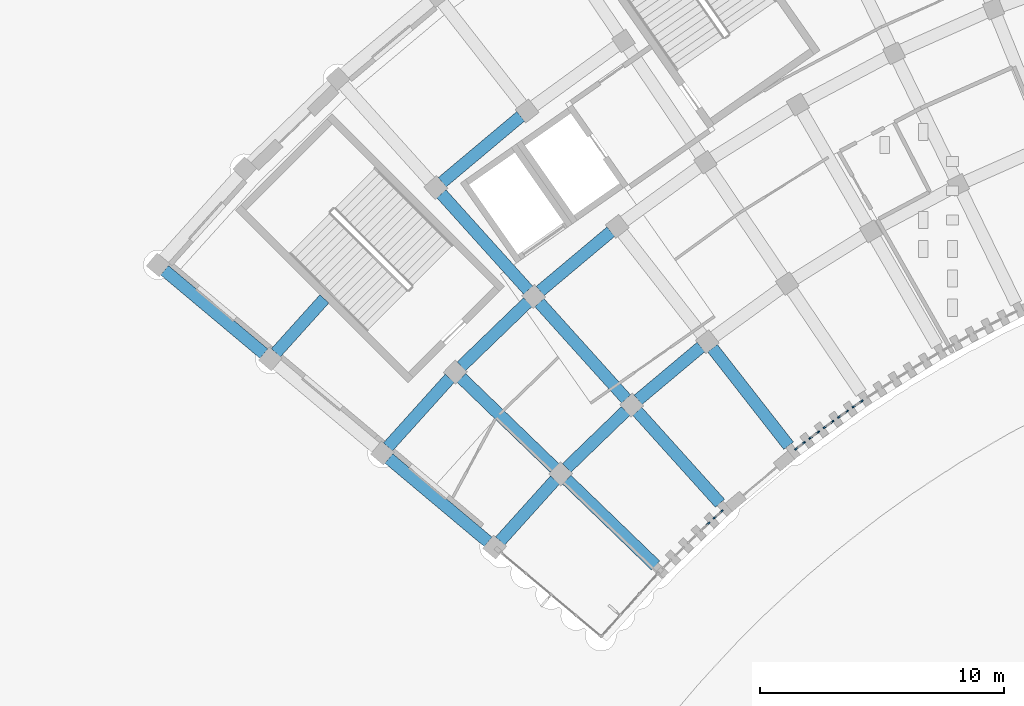
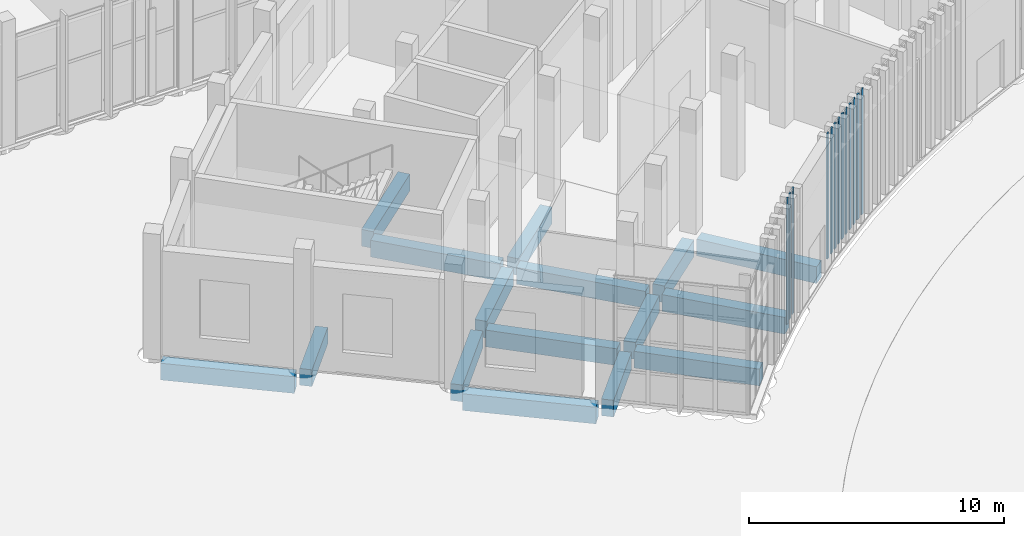
# One storey, part 24 of 155: 16 beams, 13 members, 7 elements without a shape of their own.
"""IFC4 building model written with IfcOpenShell, lengths in metres."""

from ifc_helpers import new_model, si_unit, direction, frame, origin, origin_2d, place, context, subcontext, project, spatial, rectangle, extrude, material, layer, layer_set, material_profile, profile_set, type_object, element, aggregate, save


model = new_model("IFC4")

# Units and contexts
model_context = context("Model", 3, precision=1e-05, world=origin(), true_north=direction((0.0, 1.0)))
body_context = subcontext(model_context, "Body", "Model", "MODEL_VIEW")
ifc_project = project(units=[si_unit("LENGTHUNIT", "METRE"), si_unit("AREAUNIT", "SQUARE_METRE"), si_unit("VOLUMEUNIT", "CUBIC_METRE"), si_unit("PLANEANGLEUNIT", "RADIAN"), si_unit("MASSUNIT", "GRAM", prefix="KILO")], contexts=[model_context])

# Site, building, storey
site_placement = place(None, origin())
site = spatial("IfcSite", under=ifc_project, at=site_placement, CompositionType="ELEMENT")
building_placement = place(site_placement, origin())
building = spatial("IfcBuilding", under=site, at=building_placement, Name="Lunette Opera House", CompositionType="ELEMENT")
storey_placement = place(building_placement, origin())
storey = spatial("IfcBuildingStorey", under=building, at=storey_placement, Name="L00", CompositionType="ELEMENT", Elevation=0.0)

# Curtain wall, member
ifc_material_1 = material(Name="Aluminium", Category="aluminium")
ifc_layer = layer(ifc_material_1, 0.1201171875)
ifc_layer_set = layer_set([ifc_layer], Name="Aluminium")
curtain_wall_type = type_object("IfcCurtainWallType", Name="SLOT CURTAIN WALL", PredefinedType="NOTDEFINED", material=ifc_layer_set)
curtain_wall_1_placement = place(storey_placement, origin())
curtain_wall_1 = element("IfcCurtainWall", 1, at=curtain_wall_1_placement, inside=storey, type_object=curtain_wall_type, Name="Slot Curtain Wall CS004 L00", PredefinedType="NOTDEFINED")
ifc_material_2 = material(Name="Aluminium", Category="aluminium")
ifc_material_profile_1 = material_profile(ifc_material_2, rectangle(XDim=0.06005859375, YDim=0.159912109375, at=origin_2d()), Name="MULLION 60 X 160")
ifc_profile_set_1 = profile_set([ifc_material_profile_1], Name="Aluminium")
member_type = type_object("IfcMemberType", Name="MULLION 60 X 160", PredefinedType="MULLION", material=ifc_profile_set_1)
member_1_placement = place(storey_placement, frame((60.333251953125, 38.25146484375, 0.0), z_axis=(0.0, 0.0, 1.0), x_axis=(-0.685872190933, 0.727722019527, 0.0)))
member_1 = element("IfcMember", 2, at=member_1_placement, type_object=member_type, Name="FC-X2007 mullion 2", PredefinedType="MULLION", context=body_context, shape_type="SweptSolid", body=[
    extrude(rectangle(XDim=0.06005859375, YDim=0.159912109375, at=origin_2d()), origin(), (0.0, 0.0, 1.0), 6.0),
])
aggregate(curtain_wall_1, [member_1])

# Curtain wall, members
curtain_wall_2_placement = place(storey_placement, origin())
curtain_wall_2 = element("IfcCurtainWall", 3, at=curtain_wall_2_placement, inside=storey, type_object=curtain_wall_type, Name="Slot Curtain Wall CS005 L00", PredefinedType="NOTDEFINED")
member_2_placement = place(storey_placement, frame((60.59716796875, 38.49609375, 0.0), z_axis=(0.0, 0.0, 1.0), x_axis=(-0.673828488716, 0.738887791071, 0.0)))
member_2 = element("IfcMember", 4, at=member_2_placement, type_object=member_type, Name="FC-X2009 mullion 1", PredefinedType="MULLION", context=body_context, shape_type="SweptSolid", body=[
    extrude(rectangle(XDim=0.06005859375, YDim=0.159912109375, at=origin_2d()), origin(), (0.0, 0.0, 1.0), 6.0),
])
member_3_placement = place(storey_placement, frame((60.870849609375, 38.745849609375, 0.0), z_axis=(0.0, 0.0, 1.0), x_axis=(-0.673828488716, 0.738887791071, 0.0)))
member_3 = element("IfcMember", 5, at=member_3_placement, type_object=member_type, Name="FC-X2009 mullion 2", PredefinedType="MULLION", context=body_context, shape_type="SweptSolid", body=[
    extrude(rectangle(XDim=0.06005859375, YDim=0.159912109375, at=origin_2d()), origin(), (0.0, 0.0, 1.0), 6.0),
])
aggregate(curtain_wall_2, [member_2, member_3])

curtain_wall_3_placement = place(storey_placement, origin())
curtain_wall_3 = element("IfcCurtainWall", 6, at=curtain_wall_3_placement, inside=storey, type_object=curtain_wall_type, Name="Slot Curtain Wall CS006 L00", PredefinedType="NOTDEFINED")
member_4_placement = place(storey_placement, frame((63.94287109375, 41.3232421875, 0.0), z_axis=(0.0, 0.0, 1.0), x_axis=(-0.610720263036, 0.791846424704, 0.0)))
member_4 = element("IfcMember", 7, at=member_4_placement, type_object=member_type, Name="FC-X2011 mullion 1", PredefinedType="MULLION", context=body_context, shape_type="SweptSolid", body=[
    extrude(rectangle(XDim=0.06005859375, YDim=0.159912109375, at=origin_2d()), origin(), (0.0, 0.0, 1.0), 6.0),
])
member_5_placement = place(storey_placement, frame((64.236328125, 41.549560546875, 0.0), z_axis=(0.0, 0.0, 1.0), x_axis=(-0.610720263036, 0.791846424704, 0.0)))
member_5 = element("IfcMember", 8, at=member_5_placement, type_object=member_type, Name="FC-X2011 mullion 2", PredefinedType="MULLION", context=body_context, shape_type="SweptSolid", body=[
    extrude(rectangle(XDim=0.06005859375, YDim=0.159912109375, at=origin_2d()), origin(), (0.0, 0.0, 1.0), 6.0),
])
aggregate(curtain_wall_3, [member_4, member_5])

curtain_wall_4_placement = place(storey_placement, origin())
curtain_wall_4 = element("IfcCurtainWall", 9, at=curtain_wall_4_placement, inside=storey, type_object=curtain_wall_type, Name="Slot Curtain Wall CS007 L00", PredefinedType="NOTDEFINED")
member_6_placement = place(storey_placement, frame((64.52294921875, 41.766845703125, 0.0), z_axis=(0.0, 0.0, 1.0), x_axis=(-0.598885213026, 0.800834877873, 0.0)))
member_6 = element("IfcMember", 10, at=member_6_placement, type_object=member_type, Name="FC-X2013 mullion 1", PredefinedType="MULLION", context=body_context, shape_type="SweptSolid", body=[
    extrude(rectangle(XDim=0.06005859375, YDim=0.159912109375, at=origin_2d()), origin(), (0.0, 0.0, 1.0), 6.0),
])
member_7_placement = place(storey_placement, frame((64.820068359375, 41.989013671875, 0.0), z_axis=(0.0, 0.0, 1.0), x_axis=(-0.598885213026, 0.800834877873, 0.0)))
member_7 = element("IfcMember", 11, at=member_7_placement, type_object=member_type, Name="FC-X2013 mullion 2", PredefinedType="MULLION", context=body_context, shape_type="SweptSolid", body=[
    extrude(rectangle(XDim=0.06005859375, YDim=0.159912109375, at=origin_2d()), origin(), (0.0, 0.0, 1.0), 6.0),
])
aggregate(curtain_wall_4, [member_6, member_7])

curtain_wall_5_placement = place(storey_placement, origin())
curtain_wall_5 = element("IfcCurtainWall", 12, at=curtain_wall_5_placement, inside=storey, type_object=curtain_wall_type, Name="Slot Curtain Wall CS008 L00", PredefinedType="NOTDEFINED")
member_8_placement = place(storey_placement, frame((65.109375, 42.20263671875, 0.0), z_axis=(0.0, 0.0, 1.0), x_axis=(-0.58803349085, 0.808836580304, 0.0)))
member_8 = element("IfcMember", 13, at=member_8_placement, type_object=member_type, Name="FC-X2015 mullion 1", PredefinedType="MULLION", context=body_context, shape_type="SweptSolid", body=[
    extrude(rectangle(XDim=0.06005859375, YDim=0.159912109375, at=origin_2d()), origin(), (0.0, 0.0, 1.0), 6.0),
])
member_9_placement = place(storey_placement, frame((65.40869140625, 42.42041015625, 0.0), z_axis=(0.0, 0.0, 1.0), x_axis=(-0.58803349085, 0.808836580304, 0.0)))
member_9 = element("IfcMember", 14, at=member_9_placement, type_object=member_type, Name="FC-X2015 mullion 2", PredefinedType="MULLION", context=body_context, shape_type="SweptSolid", body=[
    extrude(rectangle(XDim=0.06005859375, YDim=0.159912109375, at=origin_2d()), origin(), (0.0, 0.0, 1.0), 6.0),
])
aggregate(curtain_wall_5, [member_8, member_9])

curtain_wall_6_placement = place(storey_placement, origin())
curtain_wall_6 = element("IfcCurtainWall", 15, at=curtain_wall_6_placement, inside=storey, type_object=curtain_wall_type, Name="Slot Curtain Wall CS009 L00", PredefinedType="NOTDEFINED")
member_10_placement = place(storey_placement, frame((65.701416015625, 42.62939453125, 0.0), z_axis=(0.0, 0.0, 1.0), x_axis=(-0.575953532436, 0.817482433129, 0.0)))
member_10 = element("IfcMember", 16, at=member_10_placement, type_object=member_type, Name="FC-X2017 mullion 1", PredefinedType="MULLION", context=body_context, shape_type="SweptSolid", body=[
    extrude(rectangle(XDim=0.06005859375, YDim=0.159912109375, at=origin_2d()), origin(), (0.0, 0.0, 1.0), 6.0),
])
member_11_placement = place(storey_placement, frame((66.00439453125, 42.8427734375, 0.0), z_axis=(0.0, 0.0, 1.0), x_axis=(-0.575953532436, 0.817482433129, 0.0)))
member_11 = element("IfcMember", 17, at=member_11_placement, type_object=member_type, Name="FC-X2017 mullion 2", PredefinedType="MULLION", context=body_context, shape_type="SweptSolid", body=[
    extrude(rectangle(XDim=0.06005859375, YDim=0.159912109375, at=origin_2d()), origin(), (0.0, 0.0, 1.0), 6.0),
])
aggregate(curtain_wall_6, [member_10, member_11])

curtain_wall_7_placement = place(storey_placement, origin())
curtain_wall_7 = element("IfcCurtainWall", 18, at=curtain_wall_7_placement, inside=storey, type_object=curtain_wall_type, Name="Slot Curtain Wall CS010 L00", PredefinedType="NOTDEFINED")
member_12_placement = place(storey_placement, frame((66.2998046875, 43.048828125, 0.0), z_axis=(0.0, 0.0, 1.0), x_axis=(-0.56485056548, 0.825193212937, 0.0)))
member_12 = element("IfcMember", 19, at=member_12_placement, type_object=member_type, Name="FC-X2019 mullion 1", PredefinedType="MULLION", context=body_context, shape_type="SweptSolid", body=[
    extrude(rectangle(XDim=0.06005859375, YDim=0.159912109375, at=origin_2d()), origin(), (0.0, 0.0, 1.0), 6.0),
])
member_13_placement = place(storey_placement, frame((66.605224609375, 43.258056640625, 0.0), z_axis=(0.0, 0.0, 1.0), x_axis=(-0.56485056548, 0.825193212937, 0.0)))
member_13 = element("IfcMember", 20, at=member_13_placement, type_object=member_type, Name="FC-X2019 mullion 2", PredefinedType="MULLION", context=body_context, shape_type="SweptSolid", body=[
    extrude(rectangle(XDim=0.06005859375, YDim=0.159912109375, at=origin_2d()), origin(), (0.0, 0.0, 1.0), 6.0),
])
aggregate(curtain_wall_7, [member_12, member_13])

# Beams
ifc_material_3 = material(Name="Concrete C35/45", Category="concrete")
ifc_material_profile_2 = material_profile(ifc_material_3, rectangle(XDim=0.5, YDim=0.800048828125, at=origin_2d()), Name="RC BEAM 500X800")
ifc_profile_set_2 = profile_set([ifc_material_profile_2], Name="Concrete C35/45")
beam_type = type_object("IfcBeamType", Name="RC BEAM 500X800", PredefinedType="BEAM", material=ifc_profile_set_2)
beam_1_placement = place(storey_placement, frame((51.30908203125, 37.5, -0.6201171875), z_axis=(-0.766004921062, 0.642834707299, 0.0), x_axis=(-0.642834707299, -0.766004921062, 0.0)))
element("IfcBeam", 21, at=beam_1_placement, inside=storey, type_object=beam_type, Name="beam-FC-L00-L00-RB-RL-01-2", PredefinedType="BEAM", context=body_context, shape_type="SweptSolid", body=[
    extrude(rectangle(XDim=0.5, YDim=0.800048828125, at=origin_2d()), origin(), (0.0, 0.0, 1.0), 5.320068359375),
])
beam_2_placement = place(storey_placement, frame((42.115966796875, 45.214111328125, -0.6201171875), z_axis=(-0.766076352309, 0.642749579878, 0.0), x_axis=(-0.642749579878, -0.766076352309, 0.0)))
element("IfcBeam", 22, at=beam_2_placement, inside=storey, type_object=beam_type, Name="beam-FC-L00-L00-RB-RL-01-4", PredefinedType="BEAM", context=body_context, shape_type="SweptSolid", body=[
    extrude(rectangle(XDim=0.5, YDim=0.800048828125, at=origin_2d()), origin(), (0.0, 0.0, 1.0), 5.3193359375),
])
beam_3_placement = place(storey_placement, frame((58.169921875, 36.531982421875, -0.6201171875), z_axis=(-0.719326780477, 0.694671852668, 0.0), x_axis=(-0.694671852668, -0.719326780477, 0.0)))
element("IfcBeam", 23, at=beam_3_placement, inside=storey, type_object=beam_type, Name="beam-FC-L00-L00-RB-RL-02-1", PredefinedType="BEAM", context=body_context, shape_type="SweptSolid", body=[
    extrude(rectangle(XDim=0.5, YDim=0.800048828125, at=origin_2d()), origin(), (0.0, 0.0, 1.0), 5.070068359375),
])
beam_4_placement = place(storey_placement, frame((54.033935546875, 40.52587890625, -0.6201171875), z_axis=(-0.719297872313, 0.694701785579, 0.0), x_axis=(-0.694701785579, -0.719297872313, 0.0)))
element("IfcBeam", 24, at=beam_4_placement, inside=storey, type_object=beam_type, Name="beam-FC-L00-L00-RB-RL-02-2", PredefinedType="BEAM", context=body_context, shape_type="SweptSolid", body=[
    extrude(rectangle(XDim=0.5, YDim=0.800048828125, at=origin_2d()), origin(), (0.0, 0.0, 1.0), 5.3203125),
])
beam_5_placement = place(storey_placement, frame((60.81005859375, 39.08203125, -0.6201171875), z_axis=(-0.66905518217, 0.743212730792, 0.0), x_axis=(-0.743212730792, -0.66905518217, 0.0)))
element("IfcBeam", 25, at=beam_5_placement, inside=storey, type_object=beam_type, Name="beam-FC-L00-L00-RB-RL-03-1", PredefinedType="BEAM", context=body_context, shape_type="SweptSolid", body=[
    extrude(rectangle(XDim=0.5, YDim=0.800048828125, at=origin_2d()), origin(), (0.0, 0.0, 1.0), 5.070068359375),
])
beam_6_placement = place(storey_placement, frame((56.962890625, 43.35498046875, -0.6201171875), z_axis=(-0.669081342806, 0.743189179623, 0.0), x_axis=(-0.743189179623, -0.669081342806, 0.0)))
element("IfcBeam", 26, at=beam_6_placement, inside=storey, type_object=beam_type, Name="beam-FC-L00-L00-RB-RL-03-2", PredefinedType="BEAM", context=body_context, shape_type="SweptSolid", body=[
    extrude(rectangle(XDim=0.5, YDim=0.800048828125, at=origin_2d()), origin(), (0.0, 0.0, 1.0), 5.320556640625),
])
beam_7_placement = place(storey_placement, frame((52.947998046875, 47.81396484375, -0.6201171875), z_axis=(-0.66919796217, 0.743084172505, 0.0), x_axis=(-0.743084172505, -0.66919796217, 0.0)))
element("IfcBeam", 27, at=beam_7_placement, inside=storey, type_object=beam_type, Name="beam-FC-L00-L00-RB-RL-03-3", PredefinedType="BEAM", context=body_context, shape_type="SweptSolid", body=[
    extrude(rectangle(XDim=0.5, YDim=0.800048828125, at=origin_2d()), origin(), (0.0, 0.0, 1.0), 5.31982421875),
])
beam_8_placement = place(storey_placement, frame((63.6220703125, 41.44091796875, -0.6201171875), z_axis=(-0.615539387219, 0.788106124061, 0.0), x_axis=(-0.788106124061, -0.615539387219, 0.0)))
element("IfcBeam", 28, at=beam_8_placement, inside=storey, type_object=beam_type, Name="beam-FC-L00-L00-RB-RL-04-1", PredefinedType="BEAM", context=body_context, shape_type="SweptSolid", body=[
    extrude(rectangle(XDim=0.5, YDim=0.800048828125, at=origin_2d()), origin(), (0.0, 0.0, 1.0), 5.070556640625),
])
beam_9_placement = place(storey_placement, frame((51.797119140625, 37.534912109375, -0.6201171875), z_axis=(0.669120953551, 0.743153516791, 0.0), x_axis=(-0.743153516791, 0.669120953551, 0.0)))
element("IfcBeam", 29, at=beam_9_placement, inside=storey, type_object=beam_type, Name="beam-FC-L00-L00-RG-AR-M1-RL-01", PredefinedType="BEAM", context=body_context, shape_type="SweptSolid", body=[
    extrude(rectangle(XDim=0.5, YDim=0.800048828125, at=origin_2d()), origin(), (0.0, 0.0, 1.0), 3.366943359375),
])
beam_10_placement = place(storey_placement, frame((54.52294921875, 40.52587890625, -0.6201171875), z_axis=(0.719180338661, 0.69482345994, 0.0), x_axis=(-0.69482345994, 0.719180338661, 0.0)))
element("IfcBeam", 30, at=beam_10_placement, inside=storey, type_object=beam_type, Name="beam-FC-L00-L00-RG-AR-M1-RL-02", PredefinedType="BEAM", context=body_context, shape_type="SweptSolid", body=[
    extrude(rectangle(XDim=0.5, YDim=0.800048828125, at=origin_2d()), origin(), (0.0, 0.0, 1.0), 3.367919921875),
])
beam_11_placement = place(storey_placement, frame((57.450927734375, 43.321044921875, -0.6201171875), z_axis=(0.766030340985, 0.642804415581, 0.0), x_axis=(-0.642804415581, 0.766030340985, 0.0)))
element("IfcBeam", 31, at=beam_11_placement, inside=storey, type_object=beam_type, Name="beam-FC-L00-L00-RG-AR-M1-RL-03", PredefinedType="BEAM", context=body_context, shape_type="SweptSolid", body=[
    extrude(rectangle(XDim=0.5, YDim=0.800048828125, at=origin_2d()), origin(), (0.0, 0.0, 1.0), 3.3681640625),
])
beam_12_placement = place(storey_placement, frame((47.200927734375, 41.39111328125, -0.6201171875), z_axis=(0.669021732106, 0.743242841856, 0.0), x_axis=(-0.743242841856, 0.669021732106, 0.0)))
element("IfcBeam", 32, at=beam_12_placement, inside=storey, type_object=beam_type, Name="beam-FC-L00-L00-RG-AR-B-RL-01", PredefinedType="BEAM", context=body_context, shape_type="SweptSolid", body=[
    extrude(rectangle(XDim=0.5, YDim=0.800048828125, at=origin_2d()), origin(), (0.0, 0.0, 1.0), 3.7861328125),
])
beam_13_placement = place(storey_placement, frame((50.20703125, 44.694091796875, -0.6201171875), z_axis=(0.719281477896, 0.694718760043, 0.0), x_axis=(-0.694718760043, 0.719281477896, 0.0)))
element("IfcBeam", 33, at=beam_13_placement, inside=storey, type_object=beam_type, Name="beam-FC-L00-L00-RG-AR-B-RL-02", PredefinedType="BEAM", context=body_context, shape_type="SweptSolid", body=[
    extrude(rectangle(XDim=0.5, YDim=0.800048828125, at=origin_2d()), origin(), (0.0, 0.0, 1.0), 3.786865234375),
])
beam_14_placement = place(storey_placement, frame((53.43701171875, 47.780029296875, -0.6201171875), z_axis=(0.76594363351, 0.642907730771, 0.0), x_axis=(-0.642907730771, 0.76594363351, 0.0)))
element("IfcBeam", 34, at=beam_14_placement, inside=storey, type_object=beam_type, Name="beam-FC-L00-L00-RG-AR-B-RL-03", PredefinedType="BEAM", context=body_context, shape_type="SweptSolid", body=[
    extrude(rectangle(XDim=0.5, YDim=0.800048828125, at=origin_2d()), origin(), (0.0, 0.0, 1.0), 3.7861328125),
])
beam_15_placement = place(storey_placement, frame((42.60498046875, 45.248046875, -0.6201171875), z_axis=(0.6689919383, 0.743269659336, 0.0), x_axis=(-0.743269659336, 0.6689919383, 0.0)))
element("IfcBeam", 35, at=beam_15_placement, inside=storey, type_object=beam_type, Name="beam-FC-L00-L00-RG-AR-M2-RL-01", PredefinedType="BEAM", context=body_context, shape_type="SweptSolid", body=[
    extrude(rectangle(XDim=0.5, YDim=0.800048828125, at=origin_2d()), origin(), (0.0, 0.0, 1.0), 2.974609375),
])
beam_16_placement = place(storey_placement, frame((49.422119140625, 52.239013671875, -0.6201171875), z_axis=(0.766022755014, 0.642813455678, 0.0), x_axis=(-0.642813455678, 0.766022755014, 0.0)))
element("IfcBeam", 36, at=beam_16_placement, inside=storey, type_object=beam_type, Name="beam-FC-L00-L00-RG-AR-M2-RL-03", PredefinedType="BEAM", context=body_context, shape_type="SweptSolid", body=[
    extrude(rectangle(XDim=0.5, YDim=0.800048828125, at=origin_2d()), origin(), (0.0, 0.0, 1.0), 4.204833984375),
])

save(model, "model.ifc")
